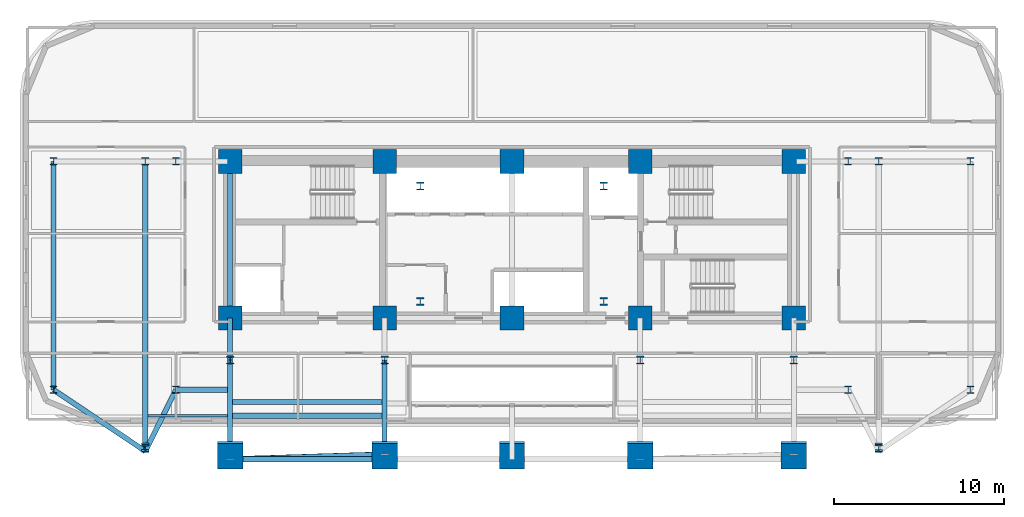
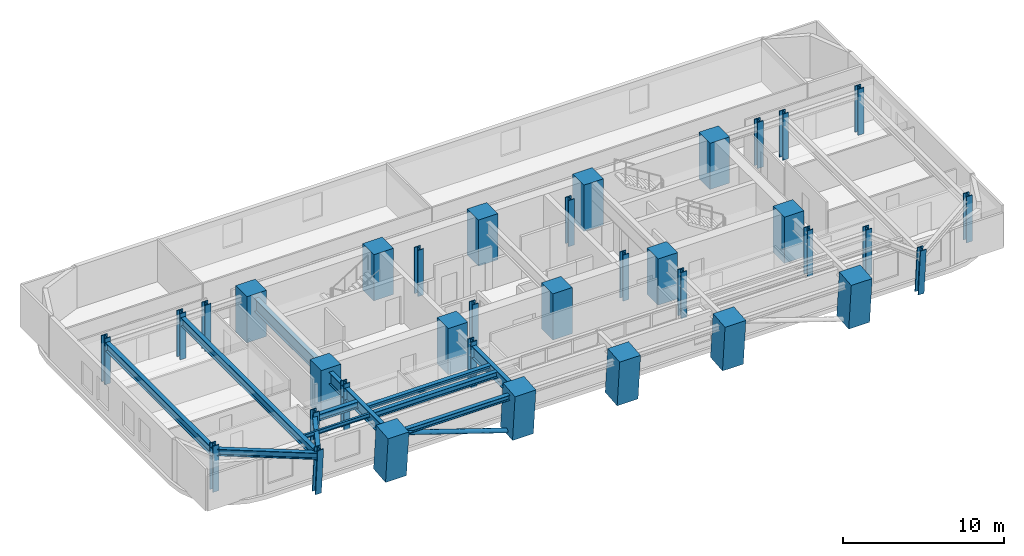
# One storey, part 1 of 15: 35 columns, 13 beams, 1 member.
"""IFC4 building model written with IfcOpenShell, lengths in metres."""

import ifcopenshell
import ifcopenshell.guid

model = None  # the IFC model being written
_history = None  # IfcOwnerHistory: only IFC2X3 demands one
_inside = {}  # id of a spatial element -> (the spatial element, [elements in it])
_under = {}  # id of a project, library or spatial element -> (it, [spatial elements below it])
_declared = {}  # id of a project -> (the project, [libraries it declares])
_typed = {}  # id of a type object -> (the type object, [elements of that type])
_made_of = {}  # id of a material, layer set ... -> (it, [elements and type objects made of it])


def new_model(schema):
    """Start an empty IFC model of exactly this schema.

    Asked for "IFC4X3", IfcOpenShell would pick the latest addendum, in which some entities
    have other attributes; the version numbers below select the first issue.
    IFC2X3 requires an IfcOwnerHistory on every rooted entity: one is made here for all.
    """
    global model, _history
    if schema == "IFC4X3":
        model = ifcopenshell.file(schema_version=(4, 3, 0, 0))
    else:
        model = ifcopenshell.file(schema=schema)
    _inside.clear()
    _under.clear()
    _declared.clear()
    _typed.clear()
    _made_of.clear()
    _history = None
    if model.schema == "IFC2X3":
        org = make("IfcOrganization", Name="unknown")
        user = make(
            "IfcPersonAndOrganization",
            ThePerson=make("IfcPerson", FamilyName="unknown"),
            TheOrganization=org,
        )
        app = make(
            "IfcApplication",
            ApplicationDeveloper=org,
            Version="unknown",
            ApplicationFullName="unknown",
            ApplicationIdentifier="unknown",
        )
        _history = make(
            "IfcOwnerHistory",
            OwningUser=user,
            OwningApplication=app,
            ChangeAction="ADDED",
            CreationDate=0,
        )
    return model


def make(cls, **values):
    """One entity of the class cls with the attributes given. An attribute that is None is left unset."""
    return model.create_entity(
        cls, **{name: value for name, value in values.items() if value is not None}
    )


def rooted(cls, **values):
    """An entity with a GlobalId (a new one), such as an element, a storey or a relation."""
    return make(cls, GlobalId=ifcopenshell.guid.new(), OwnerHistory=_history, **values)


def si_unit(unit_type, name, prefix=None):
    """IfcSIUnit, for example si_unit("LENGTHUNIT", "METRE", prefix="MILLI")."""
    return make("IfcSIUnit", UnitType=unit_type, Prefix=prefix, Name=name)


def assignment(units):
    """IfcUnitAssignment: the units of a project."""
    return None if units is None else make("IfcUnitAssignment", Units=units)


def point(xyz):
    """IfcCartesianPoint."""
    return None if xyz is None else make("IfcCartesianPoint", Coordinates=xyz)


def direction(xyz):
    """IfcDirection."""
    return None if xyz is None else make("IfcDirection", DirectionRatios=xyz)


def frame(location, z_axis=None, x_axis=None):
    """IfcAxis2Placement3D, a coordinate frame: its origin and axes. An axis left out is left unset."""
    return make(
        "IfcAxis2Placement3D",
        Location=point(location),
        Axis=direction(z_axis),
        RefDirection=direction(x_axis),
    )


def frame_2d(location, x_axis=None):
    """IfcAxis2Placement2D, a coordinate frame in the plane: its origin and x axis."""
    return make(
        "IfcAxis2Placement2D", Location=point(location), RefDirection=direction(x_axis)
    )


def origin():
    """The frame at (0, 0, 0) with its axes left unset."""
    return frame((0.0, 0.0, 0.0))


def origin_2d():
    """The frame at (0, 0) in the plane with its x axis left unset."""
    return frame_2d((0.0, 0.0))


def place(relative_to, where):
    """IfcLocalPlacement: puts the frame where relative to a parent placement (None: the world)."""
    return make(
        "IfcLocalPlacement", PlacementRelTo=relative_to, RelativePlacement=where
    )


def context(
    kind, dimensions, precision=None, world=None, true_north=None, identifier=None
):
    """IfcGeometricRepresentationContext, for example the 3D "Model" context."""
    return make(
        "IfcGeometricRepresentationContext",
        ContextIdentifier=identifier,
        ContextType=kind,
        CoordinateSpaceDimension=dimensions,
        Precision=precision,
        WorldCoordinateSystem=world,
        TrueNorth=true_north,
    )


def subcontext(parent, identifier, kind, view, scale=None):
    """IfcGeometricRepresentationSubContext, for example "Body" below "Model"."""
    return make(
        "IfcGeometricRepresentationSubContext",
        ContextIdentifier=identifier,
        ContextType=kind,
        ParentContext=parent,
        TargetScale=scale,
        TargetView=view,
    )


def project(units=None, contexts=None):
    """IfcProject with its units and contexts."""
    return rooted(
        "IfcProject",
        Name="project",
        RepresentationContexts=contexts,
        UnitsInContext=assignment(units),
    )


def spatial(cls, under=None, at=None, **own):
    """A site, building, storey or space (cls), placed at a placement, below another one or the project."""
    s = rooted(cls, ObjectPlacement=at, **own)
    if under is not None:
        _under.setdefault(under.id(), (under, []))[1].append(s)
    return s


def profile(cls, at=None, kind="AREA", **sizes):
    """A parametric profile (cls). Its sizes go by their IFC names, for example OverallWidth=200.0."""
    return make(cls, ProfileType=kind, Position=at, **sizes)


def rectangle(**sizes):
    """IfcRectangleProfileDef."""
    return profile("IfcRectangleProfileDef", **sizes)


def hollow_circle(**sizes):
    """IfcCircleHollowProfileDef."""
    return profile("IfcCircleHollowProfileDef", **sizes)


def i_section(**sizes):
    """IfcIShapeProfileDef."""
    return profile("IfcIShapeProfileDef", **sizes)


def extrude(swept, where, along, depth):
    """IfcExtrudedAreaSolid: the profile swept, set in the frame where, extruded along a direction by depth."""
    return make(
        "IfcExtrudedAreaSolid",
        SweptArea=swept,
        Position=where,
        ExtrudedDirection=direction(along),
        Depth=depth,
    )


def shape(context_of_items, identifier, shape_type, items):
    """IfcShapeRepresentation: the items that make up one representation, for example the "Body"."""
    return make(
        "IfcShapeRepresentation",
        ContextOfItems=context_of_items,
        RepresentationIdentifier=identifier,
        RepresentationType=shape_type,
        Items=items,
    )


def material(Name=None, Category=None):
    """IfcMaterial."""
    return make("IfcMaterial", Name=Name, Category=Category)


def material_profile(
    of_material, cross_section, Name=None, Category=None, Priority=None
):
    """IfcMaterialProfile: a cross section and its material."""
    return make(
        "IfcMaterialProfile",
        Name=Name,
        Material=of_material,
        Profile=cross_section,
        Priority=Priority,
        Category=Category,
    )


def profile_set(profiles, Name=None, composite=None):
    """IfcMaterialProfileSet."""
    return make(
        "IfcMaterialProfileSet",
        Name=Name,
        MaterialProfiles=profiles,
        CompositeProfile=composite,
    )


def made_of(thing, what):
    """Note that an element or type object is made of a material, layer set ...; save() writes the relation."""
    if what is not None:
        _made_of.setdefault(what.id(), (what, []))[1].append(thing)
    return thing


def type_object(cls, material=None, **own):
    """A type object (cls), such as IfcWallType, which elements share."""
    return made_of(rooted(cls, **own), material)


def element(
    cls,
    number,
    at=None,
    inside=None,
    cuts=None,
    type_object=None,
    material=None,
    context=None,
    identifier="Body",
    shape_type=None,
    held_by="IfcProductDefinitionShape",
    body=None,
    shapes=None,
    **own,
):
    """One element of the class cls, such as IfcWall. Its Tag is "e" and its number.

    at: its placement. inside: the storey or other place that contains it. cuts: it is an
    opening in that element (IfcRelVoidsElement). A single representation is given by context,
    identifier, shape_type and body (its items); several are given by shapes. held_by: the class
    of the entity that holds the representations. save() writes the other relations.
    """
    e = rooted(cls, Tag="e%d" % number, ObjectPlacement=at, **own)
    if body is not None:
        shapes = [shape(context, identifier, shape_type, body)]
    if shapes is not None:
        e.Representation = make(held_by, Representations=shapes)
    if inside is not None:
        _inside.setdefault(inside.id(), (inside, []))[1].append(e)
    if cuts is not None:
        rooted(
            "IfcRelVoidsElement", RelatingBuildingElement=cuts, RelatedOpeningElement=e
        )
    if type_object is not None:
        _typed.setdefault(type_object.id(), (type_object, []))[1].append(e)
    return made_of(e, material)


def aggregate(whole, parts):
    """IfcRelAggregates: a whole, such as a stair, and the parts it consists of."""
    return rooted("IfcRelAggregates", RelatingObject=whole, RelatedObjects=parts)


def save(model, path):
    """Write the relations noted so far, then the file.

    IfcRelAggregates (storeys below a building ...), IfcRelContainedInSpatialStructure (elements
    in a storey), IfcRelDefinesByType, IfcRelAssociatesMaterial and IfcRelDeclares: one each for
    every whole, place, type object, material and project.
    """
    for whole, parts in _under.values():
        aggregate(whole, parts)
    for where, things in _inside.values():
        rooted(
            "IfcRelContainedInSpatialStructure",
            RelatedElements=things,
            RelatingStructure=where,
        )
    for kind, things in _typed.values():
        rooted("IfcRelDefinesByType", RelatedObjects=things, RelatingType=kind)
    for what, things in _made_of.values():
        rooted("IfcRelAssociatesMaterial", RelatedObjects=things, RelatingMaterial=what)
    for by, libraries in _declared.values():
        rooted("IfcRelDeclares", RelatingContext=by, RelatedDefinitions=libraries)
    model.write(path)


model = new_model("IFC4")

# Units and contexts
model_context = context("Model", 3, precision=1e-05, world=origin(), true_north=direction((0.0, 1.0)))
body_context = subcontext(model_context, "Body", "Model", "MODEL_VIEW")
ifc_project = project(units=[si_unit("LENGTHUNIT", "METRE"), si_unit("AREAUNIT", "SQUARE_METRE"), si_unit("VOLUMEUNIT", "CUBIC_METRE"), si_unit("PLANEANGLEUNIT", "RADIAN"), si_unit("MASSUNIT", "GRAM", prefix="KILO")], contexts=[model_context])

# Site, building, storey
site_placement = place(None, origin())
site = spatial("IfcSite", under=ifc_project, at=site_placement, CompositionType="ELEMENT")
building_placement = place(site_placement, origin())
building = spatial("IfcBuilding", under=site, at=building_placement, Name="Zarnavel Station Tower", CompositionType="ELEMENT")
storey_placement = place(building_placement, frame((0.0, 0.0, 71.0)))
storey = spatial("IfcBuildingStorey", under=building, at=storey_placement, Name="L19", CompositionType="ELEMENT", Elevation=71.0)

# Columns
ifc_material_1 = material(Name="Steel S460M", Category="steel")
ifc_material_profile_1 = material_profile(ifc_material_1, i_section(OverallWidth=0.424072265625, OverallDepth=0.449951171875, WebThickness=0.041015625, FlangeThickness=0.06494140625, FilletRadius=0.014892578125, at=origin_2d()), Name="HD400x509")
ifc_profile_set_1 = profile_set([ifc_material_profile_1], Name="Steel S460M")
column_type_1 = type_object("IfcColumnType", Name="EC_HD509", PredefinedType="COLUMN", material=ifc_profile_set_1)
for number, where, z_axis, x_axis, name in (
    (1, (1.800048828125, 23.60009765625, 0.0), (0.0, 0.0, 1.0), (1.0, 0.0, 0.0), "L19 Outer Wing South Column 1"),
    (2, (1.800048828125, 37.050048828125, 0.0), (0.0, 0.0, 1.0), (1.0, 0.0, 0.0), "L19 Outer Wing North Column 1"),
):
    element("IfcColumn", number, at=place(storey_placement, frame(where, z_axis=z_axis, x_axis=x_axis)), inside=storey, type_object=column_type_1, Name=name, PredefinedType="COLUMN", context=body_context, shape_type="SweptSolid", body=[
        extrude(i_section(OverallWidth=0.424072265625, OverallDepth=0.449951171875, WebThickness=0.041015625, FlangeThickness=0.06494140625, FilletRadius=0.014892578125, at=origin_2d()), origin(), (0.0, 0.0, 1.0), 3.5),
    ])
for number, where, z_axis, x_axis, name in (
    (3, (7.199951171875, 20.233642578125, 0.0), (0.0, -0.079891690793, 0.996803550226), (1.0, 0.0, 0.0), "L19 Raked Wing Column 2"),
    (4, (50.39990234375, 20.233642578125, 0.0), (0.0, -0.079891690793, 0.996803550226), (1.0, 0.0, 0.0), "L19 Raked Wing Column 3"),
):
    element("IfcColumn", number, at=place(storey_placement, frame(where, z_axis=z_axis, x_axis=x_axis)), inside=storey, type_object=column_type_1, Name=name, PredefinedType="COLUMN", context=body_context, shape_type="SweptSolid", body=[
        extrude(i_section(OverallWidth=0.424072265625, OverallDepth=0.449951171875, WebThickness=0.041015625, FlangeThickness=0.06494140625, FilletRadius=0.014892578125, at=origin_2d()), origin(), (0.0, 0.0, 1.0), 3.51123046875),
    ])
for number, where, z_axis, x_axis, name in (
    (5, (55.800048828125, 23.60009765625, 0.0), (0.0, 0.0, 1.0), (1.0, 0.0, 0.0), "L19 Outer Wing South Column 4"),
    (6, (55.800048828125, 37.050048828125, 0.0), (0.0, 0.0, 1.0), (1.0, 0.0, 0.0), "L19 Outer Wing North Column 4"),
):
    element("IfcColumn", number, at=place(storey_placement, frame(where, z_axis=z_axis, x_axis=x_axis)), inside=storey, type_object=column_type_1, Name=name, PredefinedType="COLUMN", context=body_context, shape_type="SweptSolid", body=[
        extrude(i_section(OverallWidth=0.424072265625, OverallDepth=0.449951171875, WebThickness=0.041015625, FlangeThickness=0.06494140625, FilletRadius=0.014892578125, at=origin_2d()), origin(), (0.0, 0.0, 1.0), 3.5),
    ])
ifc_material_2 = material(Name="Steel S460M", Category="steel")
ifc_material_profile_2 = material_profile(ifc_material_2, i_section(OverallWidth=0.424072265625, OverallDepth=0.449951171875, WebThickness=0.041015625, FlangeThickness=0.06494140625, FilletRadius=0.014892578125, at=origin_2d()), Name="HD400x509")
ifc_profile_set_2 = profile_set([ifc_material_profile_2], Name="Steel S460M")
column_type_2 = type_object("IfcColumnType", Name="IC_HD509", PredefinedType="COLUMN", material=ifc_profile_set_2)
for number, where, z_axis, x_axis, name in (
    (7, (23.39990234375, 28.800048828125, 0.0), (0.0, 0.0, 1.0), (1.0, 0.0, 0.0), "L19 Mast Spine Column 1"),
    (8, (34.199951171875, 28.800048828125, 0.0), (0.0, 0.0, 1.0), (1.0, 0.0, 0.0), "L19 Mast Spine Column 2"),
    (9, (34.199951171875, 35.60009765625, 0.0), (0.0, 0.0, 1.0), (1.0, 0.0, 0.0), "L19 Mast Spine Column 3"),
    (10, (23.39990234375, 35.60009765625, 0.0), (0.0, 0.0, 1.0), (1.0, 0.0, 0.0), "L19 Mast Spine Column 4"),
    (11, (12.199951171875, 25.35009765625, 0.0), (0.0, 0.0, 1.0), (1.0, 0.0, 0.0), "L19 Inner Spine Column 1"),
    (12, (21.300048828125, 25.35009765625, 0.0), (0.0, 0.0, 1.0), (1.0, 0.0, 0.0), "L19 Inner Spine Column 2"),
    (13, (36.35009765625, 25.35009765625, 0.0), (0.0, 0.0, 1.0), (1.0, 0.0, 0.0), "L19 Inner Spine Column 4"),
    (14, (45.39990234375, 25.35009765625, 0.0), (0.0, 0.0, 1.0), (1.0, 0.0, 0.0), "L19 Inner Spine Column 5"),
    (15, (9.0, 23.60009765625, 0.0), (0.0, 0.0, 1.0), (1.0, 0.0, 0.0), "L19 Inner Wing Spine Column 1-1"),
    (16, (9.0, 37.050048828125, 0.0), (0.0, 0.0, 1.0), (1.0, 0.0, 0.0), "L19 Inner Wing Spine Column 1-2"),
    (17, (48.60009765625, 23.60009765625, 0.0), (0.0, 0.0, 1.0), (1.0, 0.0, 0.0), "L19 Inner Wing Spine Column 2-1"),
    (18, (48.60009765625, 37.050048828125, 0.0), (0.0, 0.0, 1.0), (1.0, 0.0, 0.0), "L19 Inner Wing Spine Column 2-2"),
    (19, (7.199951171875, 37.050048828125, 0.0), (0.0, 0.0, 1.0), (1.0, 0.0, 0.0), "L19 Outer Wing North Column 2"),
    (20, (50.39990234375, 37.050048828125, 0.0), (0.0, 0.0, 1.0), (1.0, 0.0, 0.0), "L19 Outer Wing North Column 3"),
):
    element("IfcColumn", number, at=place(storey_placement, frame(where, z_axis=z_axis, x_axis=x_axis)), inside=storey, type_object=column_type_2, Name=name, PredefinedType="COLUMN", context=body_context, shape_type="SweptSolid", body=[
        extrude(i_section(OverallWidth=0.424072265625, OverallDepth=0.449951171875, WebThickness=0.041015625, FlangeThickness=0.06494140625, FilletRadius=0.014892578125, at=origin_2d()), origin(), (0.0, 0.0, 1.0), 3.5),
    ])
ifc_material_3 = material(Name="Concrete C60/75", Category="concrete")
ifc_material_profile_3 = material_profile(ifc_material_3, rectangle(XDim=1.39990234375, YDim=1.39990234375, at=origin_2d()), Name="RC1400x1400")
ifc_profile_set_3 = profile_set([ifc_material_profile_3], Name="Concrete C60/75")
column_type_3 = type_object("IfcColumnType", Name="IC_RC1400", PredefinedType="COLUMN", material=ifc_profile_set_3)
for number, where, z_axis, x_axis, name in (
    (21, (12.199951171875, 27.820068359375, 0.0), (0.0, 0.0, 1.0), (1.0, 0.0, 0.0), "L19 Core Spine Column 1-1"),
    (22, (12.199951171875, 37.050048828125, 0.0), (0.0, 0.0, 1.0), (1.0, 0.0, 0.0), "L19 Core Spine Column 1-2"),
    (23, (21.300048828125, 27.820068359375, 0.0), (0.0, 0.0, 1.0), (1.0, 0.0, 0.0), "L19 Core Spine Column 2-1"),
    (24, (21.300048828125, 37.050048828125, 0.0), (0.0, 0.0, 1.0), (1.0, 0.0, 0.0), "L19 Core Spine Column 2-2"),
    (25, (28.800048828125, 27.820068359375, 0.0), (0.0, 0.0, 1.0), (1.0, 0.0, 0.0), "L19 Core Spine Column 3-1"),
    (26, (28.800048828125, 37.050048828125, 0.0), (0.0, 0.0, 1.0), (1.0, 0.0, 0.0), "L19 Core Spine Column 3-2"),
    (27, (36.35009765625, 27.820068359375, 0.0), (0.0, 0.0, 1.0), (1.0, 0.0, 0.0), "L19 Core Spine Column 4-1"),
    (28, (36.35009765625, 37.050048828125, 0.0), (0.0, 0.0, 1.0), (1.0, 0.0, 0.0), "L19 Core Spine Column 4-2"),
    (29, (45.39990234375, 27.820068359375, 0.0), (0.0, 0.0, 1.0), (1.0, 0.0, 0.0), "L19 Core Spine Column 5-1"),
    (30, (45.39990234375, 37.050048828125, 0.0), (0.0, 0.0, 1.0), (1.0, 0.0, 0.0), "L19 Core Spine Column 5-2"),
):
    element("IfcColumn", number, at=place(storey_placement, frame(where, z_axis=z_axis, x_axis=x_axis)), inside=storey, type_object=column_type_3, Name=name, PredefinedType="COLUMN", context=body_context, shape_type="SweptSolid", body=[
        extrude(rectangle(XDim=1.39990234375, YDim=1.39990234375, at=origin_2d()), origin(), (0.0, 0.0, 1.0), 3.5),
    ])
ifc_material_4 = material(Name="Concrete C60/75", Category="concrete")
ifc_material_profile_4 = material_profile(ifc_material_4, rectangle(XDim=1.5, YDim=1.5, at=origin_2d()), Name="RC1500x1500")
ifc_profile_set_4 = profile_set([ifc_material_profile_4], Name="Concrete C60/75")
column_type_4 = type_object("IfcColumnType", Name="MC_RC1500", PredefinedType="COLUMN", material=ifc_profile_set_4)
for number, where, z_axis, x_axis, name in (
    (31, (12.199951171875, 19.7939453125, 0.0), (0.0, -0.090241349316, 0.995919925935), (1.0, 0.0, 0.0), "L19 Raked South Mega-Column 1"),
    (32, (21.300048828125, 19.7939453125, 0.0), (0.0, -0.090241349316, 0.995919925935), (1.0, 0.0, 0.0), "L19 Raked South Mega-Column 2"),
    (33, (28.800048828125, 19.7939453125, 0.0), (0.0, -0.090241349316, 0.995919925935), (1.0, 0.0, 0.0), "L19 Raked South Mega-Column 3"),
    (34, (36.35009765625, 19.7939453125, 0.0), (0.0, -0.090241349316, 0.995919925935), (1.0, 0.0, 0.0), "L19 Raked South Mega-Column 4"),
    (35, (45.39990234375, 19.7939453125, 0.0), (0.0, -0.090241349316, 0.995919925935), (1.0, 0.0, 0.0), "L19 Raked South Mega-Column 5"),
):
    element("IfcColumn", number, at=place(storey_placement, frame(where, z_axis=z_axis, x_axis=x_axis)), inside=storey, type_object=column_type_4, Name=name, PredefinedType="COLUMN", context=body_context, shape_type="SweptSolid", body=[
        extrude(rectangle(XDim=1.5, YDim=1.5, at=origin_2d()), origin(), (0.0, 0.0, 1.0), 3.514404296875),
    ])

# Member
ifc_material_5 = material(Name="Steel S355J2", Category="steel")
ifc_material_profile_5 = material_profile(ifc_material_5, hollow_circle(Radius=0.161865234375, WallThickness=0.012451171875, at=origin_2d()), Name="CHS323.9x12.5")
ifc_profile_set_5 = profile_set([ifc_material_profile_5], Name="Steel S355J2")
member_type = type_object("IfcMemberType", Name="DB_EXT_CHS324", PredefinedType="BRACE", material=ifc_profile_set_5)
member_placement = place(storey_placement, frame((21.300048828125, 19.7939453125, 0.0), z_axis=(-0.943601996202, -0.029872038298, 0.329731609179), x_axis=(0.031641604049, -0.999499279086, 0.0)))
element("IfcMember", 36, at=member_placement, inside=storey, type_object=member_type, Name="L19 Persian Exterior Diagonal Frame Brace 1", PredefinedType="BRACE", context=body_context, shape_type="SweptSolid", body=[
    extrude(hollow_circle(Radius=0.161865234375, WallThickness=0.012451171875, at=origin_2d()), origin(), (0.0, 0.0, 1.0), 9.64404296875),
])

# Beams
ifc_material_6 = material(Name="Steel S355J2", Category="steel")
ifc_material_profile_6 = material_profile(ifc_material_6, i_section(OverallWidth=0.300048828125, OverallDepth=0.39990234375, WebThickness=0.013427734375, FlangeThickness=0.02392578125, FilletRadius=0.027099609375, at=origin_2d()), Name="HEB400")
ifc_profile_set_6 = profile_set([ifc_material_profile_6], Name="Steel S355J2")
beam_type_1 = type_object("IfcBeamType", Name="EB_HEB400", PredefinedType="SPANDREL", material=ifc_profile_set_6)
beam_1_placement = place(storey_placement, frame((12.199951171875, 19.505859375, 2.97998046875), z_axis=(1.0, 0.0, 0.0), x_axis=(0.0, 1.0, 0.0)))
element("IfcBeam", 37, at=beam_1_placement, inside=storey, type_object=beam_type_1, Name="L19 South Raked Spandrel 1", PredefinedType="SPANDREL", context=body_context, shape_type="SweptSolid", body=[
    extrude(i_section(OverallWidth=0.300048828125, OverallDepth=0.39990234375, WebThickness=0.013427734375, FlangeThickness=0.02392578125, FilletRadius=0.027099609375, at=origin_2d()), origin(), (0.0, 0.0, 1.0), 9.10009765625),
])
ifc_material_7 = material(Name="Steel S355J2", Category="steel")
ifc_material_profile_7 = material_profile(ifc_material_7, i_section(OverallWidth=0.300048828125, OverallDepth=0.31005859375, WebThickness=0.009033203125, FlangeThickness=0.015380859375, FilletRadius=0.027099609375, at=origin_2d()), Name="HEA320")
ifc_profile_set_7 = profile_set([ifc_material_profile_7], Name="Steel S355J2")
beam_type_2 = type_object("IfcBeamType", Name="FB_HEA320", PredefinedType="BEAM", material=ifc_profile_set_7)
beam_2_placement = place(storey_placement, frame((12.344970703125, 22.88525390625, 3.02490234375), z_axis=(1.0, 0.0, 0.0), x_axis=(0.0, 1.0, 0.0)))
element("IfcBeam", 38, at=beam_2_placement, inside=storey, type_object=beam_type_2, Name="L19 West Bay Beam 2", PredefinedType="BEAM", context=body_context, shape_type="SweptSolid", body=[
    extrude(i_section(OverallWidth=0.300048828125, OverallDepth=0.31005859375, WebThickness=0.009033203125, FlangeThickness=0.015380859375, FilletRadius=0.027099609375, at=origin_2d()), origin(), (0.0, 0.0, 1.0), 8.81005859375),
])
ifc_material_8 = material(Name="Steel S355J2", Category="steel")
ifc_material_profile_8 = material_profile(ifc_material_8, i_section(OverallWidth=0.300048828125, OverallDepth=0.43994140625, WebThickness=0.011474609375, FlangeThickness=0.02099609375, FilletRadius=0.027099609375, at=origin_2d()), Name="HEA450")
ifc_profile_set_8 = profile_set([ifc_material_profile_8], Name="Steel S355J2")
beam_type_3 = type_object("IfcBeamType", Name="FB_HEA450", PredefinedType="BEAM", material=ifc_profile_set_8)
beam_3_placement = place(storey_placement, frame((12.344970703125, 22.070556640625, 2.9599609375), z_axis=(1.0, 0.0, 0.0), x_axis=(0.0, 1.0, 0.0)))
element("IfcBeam", 39, at=beam_3_placement, inside=storey, type_object=beam_type_3, Name="L19 West Bay Beam 1", PredefinedType="BEAM", context=body_context, shape_type="SweptSolid", body=[
    extrude(i_section(OverallWidth=0.300048828125, OverallDepth=0.43994140625, WebThickness=0.011474609375, FlangeThickness=0.02099609375, FilletRadius=0.027099609375, at=origin_2d()), origin(), (0.0, 0.0, 1.0), 8.81005859375),
])
ifc_material_9 = material(Name="Steel S355J2", Category="steel")
ifc_material_profile_9 = material_profile(ifc_material_9, i_section(OverallWidth=0.300048828125, OverallDepth=0.5, WebThickness=0.014404296875, FlangeThickness=0.028076171875, FilletRadius=0.027099609375, at=origin_2d()), Name="HEB500")
ifc_profile_set_9 = profile_set([ifc_material_profile_9], Name="Steel S355J2")
beam_type_4 = type_object("IfcBeamType", Name="FG_HEB500", PredefinedType="USERDEFINED", material=ifc_profile_set_9)
beam_4_placement = place(storey_placement, frame((1.800048828125, 23.60009765625, 2.929931640625), z_axis=(0.830545218031, -0.556951201458, 0.0), x_axis=(0.556951201458, 0.830545218031, 0.0)))
element("IfcBeam", 40, at=beam_4_placement, inside=storey, type_object=beam_type_4, Name="L19 West Wing South Tie 1", ObjectType="GIRDER", PredefinedType="USERDEFINED", context=body_context, shape_type="SweptSolid", body=[
    extrude(i_section(OverallWidth=0.300048828125, OverallDepth=0.5, WebThickness=0.014404296875, FlangeThickness=0.028076171875, FilletRadius=0.027099609375, at=origin_2d()), origin(), (0.0, 0.0, 1.0), 6.501708984375),
])
beam_5_placement = place(storey_placement, frame((7.199951171875, 19.97900390625, 2.929931640625), z_axis=(0.44513553347, 0.895463207978, 0.0), x_axis=(-0.895463207978, 0.44513553347, 0.0)))
element("IfcBeam", 41, at=beam_5_placement, inside=storey, type_object=beam_type_4, Name="L19 West Wing South Tie 2", ObjectType="GIRDER", PredefinedType="USERDEFINED", context=body_context, shape_type="SweptSolid", body=[
    extrude(i_section(OverallWidth=0.300048828125, OverallDepth=0.5, WebThickness=0.014404296875, FlangeThickness=0.028076171875, FilletRadius=0.027099609375, at=origin_2d()), origin(), (0.0, 0.0, 1.0), 4.043701171875),
])
beam_6_placement = place(storey_placement, frame((9.0, 23.60009765625, 2.929931640625), z_axis=(1.0, 0.0, 0.0), x_axis=(0.0, 1.0, 0.0)))
element("IfcBeam", 42, at=beam_6_placement, inside=storey, type_object=beam_type_4, Name="L19 West Wing South Tie 3", ObjectType="GIRDER", PredefinedType="USERDEFINED", context=body_context, shape_type="SweptSolid", body=[
    extrude(i_section(OverallWidth=0.300048828125, OverallDepth=0.5, WebThickness=0.014404296875, FlangeThickness=0.028076171875, FilletRadius=0.027099609375, at=origin_2d()), origin(), (0.0, 0.0, 1.0), 3.054931640625),
])
ifc_material_10 = material(Name="Steel S355J2", Category="steel")
ifc_material_profile_10 = material_profile(ifc_material_10, i_section(OverallWidth=0.300048828125, OverallDepth=0.64990234375, WebThickness=0.01611328125, FlangeThickness=0.031005859375, FilletRadius=0.027099609375, at=origin_2d()), Name="HEB650")
ifc_profile_set_10 = profile_set([ifc_material_profile_10], Name="Steel S355J2")
beam_type_5 = type_object("IfcBeamType", Name="FG_HEB650", PredefinedType="USERDEFINED", material=ifc_profile_set_10)
beam_7_placement = place(storey_placement, frame((1.800048828125, 23.60009765625, 2.85498046875), z_axis=(0.0, 1.0, 0.0), x_axis=(-1.0, 0.0, 0.0)))
element("IfcBeam", 43, at=beam_7_placement, inside=storey, type_object=beam_type_5, Name="L19 Wing NS Girder 1", ObjectType="GIRDER", PredefinedType="USERDEFINED", context=body_context, shape_type="SweptSolid", body=[
    extrude(i_section(OverallWidth=0.300048828125, OverallDepth=0.64990234375, WebThickness=0.01611328125, FlangeThickness=0.031005859375, FilletRadius=0.027099609375, at=origin_2d()), origin(), (0.0, 0.0, 1.0), 13.449951171875),
])
beam_8_placement = place(storey_placement, frame((7.199951171875, 19.97900390625, 2.85498046875), z_axis=(0.0, 1.0, 0.0), x_axis=(-1.0, 0.0, 0.0)))
element("IfcBeam", 44, at=beam_8_placement, inside=storey, type_object=beam_type_5, Name="L19 Wing NS Girder 2", ObjectType="GIRDER", PredefinedType="USERDEFINED", context=body_context, shape_type="SweptSolid", body=[
    extrude(i_section(OverallWidth=0.300048828125, OverallDepth=0.64990234375, WebThickness=0.01611328125, FlangeThickness=0.031005859375, FilletRadius=0.027099609375, at=origin_2d()), origin(), (0.0, 0.0, 1.0), 17.071044921875),
])
ifc_material_11 = material(Name="Steel S355J2", Category="steel")
ifc_material_profile_11 = material_profile(ifc_material_11, i_section(OverallWidth=0.14990234375, OverallDepth=0.300048828125, WebThickness=0.007080078125, FlangeThickness=0.0107421875, FilletRadius=0.014892578125, at=origin_2d()), Name="IPE300")
ifc_profile_set_11 = profile_set([ifc_material_profile_11], Name="Steel S355J2")
beam_type_6 = type_object("IfcBeamType", Name="FJ_IPE300", PredefinedType="JOIST", material=ifc_profile_set_11)
beam_9_placement = place(storey_placement, frame((7.344970703125, 22.070556640625, 3.030029296875), z_axis=(1.0, 0.0, 0.0), x_axis=(0.0, 1.0, 0.0)))
element("IfcBeam", 45, at=beam_9_placement, inside=storey, type_object=beam_type_6, Name="L19 West Wing Joist 1", PredefinedType="JOIST", context=body_context, shape_type="SweptSolid", body=[
    extrude(i_section(OverallWidth=0.14990234375, OverallDepth=0.300048828125, WebThickness=0.007080078125, FlangeThickness=0.0107421875, FilletRadius=0.014892578125, at=origin_2d()), origin(), (0.0, 0.0, 1.0), 4.7099609375),
])
ifc_material_12 = material(Name="Steel S460M", Category="steel")
ifc_material_profile_12 = material_profile(ifc_material_12, i_section(OverallWidth=0.302001953125, OverallDepth=1.008056640625, WebThickness=0.02099609375, FlangeThickness=0.0400390625, FilletRadius=0.030029296875, at=origin_2d()), Name="HEM1000")
ifc_profile_set_12 = profile_set([ifc_material_profile_12], Name="Steel S460M")
beam_type_7 = type_object("IfcBeamType", Name="TG_HEM1000", PredefinedType="USERDEFINED", material=ifc_profile_set_12)
beam_10_placement = place(storey_placement, frame((12.199951171875, 27.820068359375, 2.676025390625), z_axis=(0.0, 1.0, 0.0), x_axis=(-1.0, 0.0, 0.0)))
element("IfcBeam", 46, at=beam_10_placement, inside=storey, type_object=beam_type_7, Name="L19 Core Spine Coupling Girder 1", ObjectType="GIRDER", PredefinedType="USERDEFINED", context=body_context, shape_type="SweptSolid", body=[
    extrude(i_section(OverallWidth=0.302001953125, OverallDepth=1.008056640625, WebThickness=0.02099609375, FlangeThickness=0.0400390625, FilletRadius=0.030029296875, at=origin_2d()), origin(), (0.0, 0.0, 1.0), 9.22998046875),
])
ifc_material_13 = material(Name="Steel S460M", Category="steel")
ifc_material_profile_13 = material_profile(ifc_material_13, i_section(OverallWidth=0.302001953125, OverallDepth=0.909912109375, WebThickness=0.02099609375, FlangeThickness=0.0400390625, FilletRadius=0.030029296875, at=origin_2d()), Name="HEM900")
ifc_profile_set_13 = profile_set([ifc_material_profile_13], Name="Steel S460M")
beam_type_8 = type_object("IfcBeamType", Name="TG_HEM900", PredefinedType="USERDEFINED", material=ifc_profile_set_13)
beam_11_placement = place(storey_placement, frame((12.199951171875, 19.505859375, 2.72509765625), z_axis=(0.0, 1.0, 0.0), x_axis=(-1.0, 0.0, 0.0)))
element("IfcBeam", 47, at=beam_11_placement, inside=storey, type_object=beam_type_8, Name="L19 South-Zone NS Girder 1", ObjectType="GIRDER", PredefinedType="USERDEFINED", context=body_context, shape_type="SweptSolid", body=[
    extrude(i_section(OverallWidth=0.302001953125, OverallDepth=0.909912109375, WebThickness=0.02099609375, FlangeThickness=0.0400390625, FilletRadius=0.030029296875, at=origin_2d()), origin(), (0.0, 0.0, 1.0), 5.84423828125),
])
beam_12_placement = place(storey_placement, frame((12.199951171875, 25.35009765625, 2.72509765625), z_axis=(0.0, 1.0, 0.0), x_axis=(-1.0, 0.0, 0.0)))
element("IfcBeam", 48, at=beam_12_placement, inside=storey, type_object=beam_type_8, Name="L19 Inner-Zone NS Girder 1", ObjectType="GIRDER", PredefinedType="USERDEFINED", context=body_context, shape_type="SweptSolid", body=[
    extrude(i_section(OverallWidth=0.302001953125, OverallDepth=0.909912109375, WebThickness=0.02099609375, FlangeThickness=0.0400390625, FilletRadius=0.030029296875, at=origin_2d()), origin(), (0.0, 0.0, 1.0), 2.469970703125),
])
beam_13_placement = place(storey_placement, frame((21.300048828125, 19.505859375, 2.72509765625), z_axis=(0.0, 1.0, 0.0), x_axis=(-1.0, 0.0, 0.0)))
element("IfcBeam", 49, at=beam_13_placement, inside=storey, type_object=beam_type_8, Name="L19 South-Zone NS Girder 2", ObjectType="GIRDER", PredefinedType="USERDEFINED", context=body_context, shape_type="SweptSolid", body=[
    extrude(i_section(OverallWidth=0.302001953125, OverallDepth=0.909912109375, WebThickness=0.02099609375, FlangeThickness=0.0400390625, FilletRadius=0.030029296875, at=origin_2d()), origin(), (0.0, 0.0, 1.0), 5.84423828125),
])

save(model, "model.ifc")
